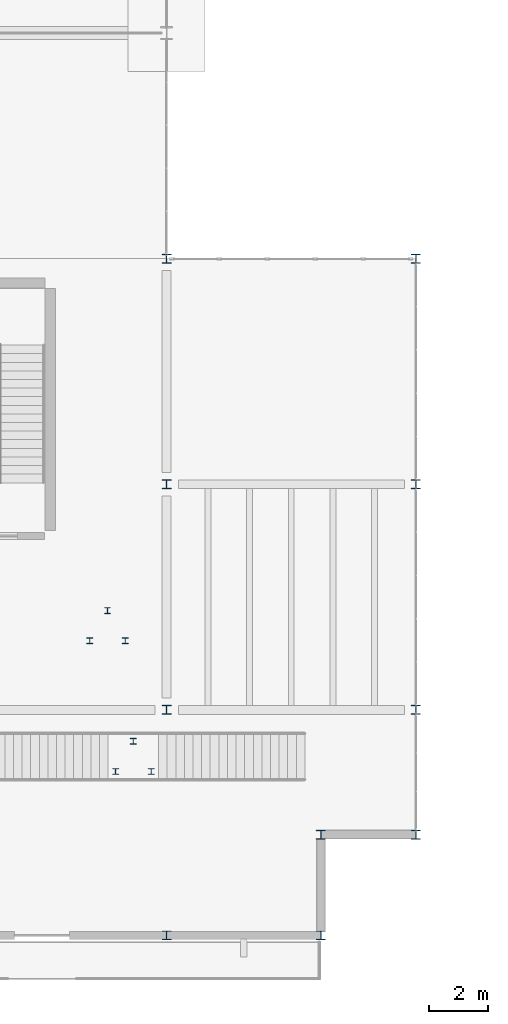
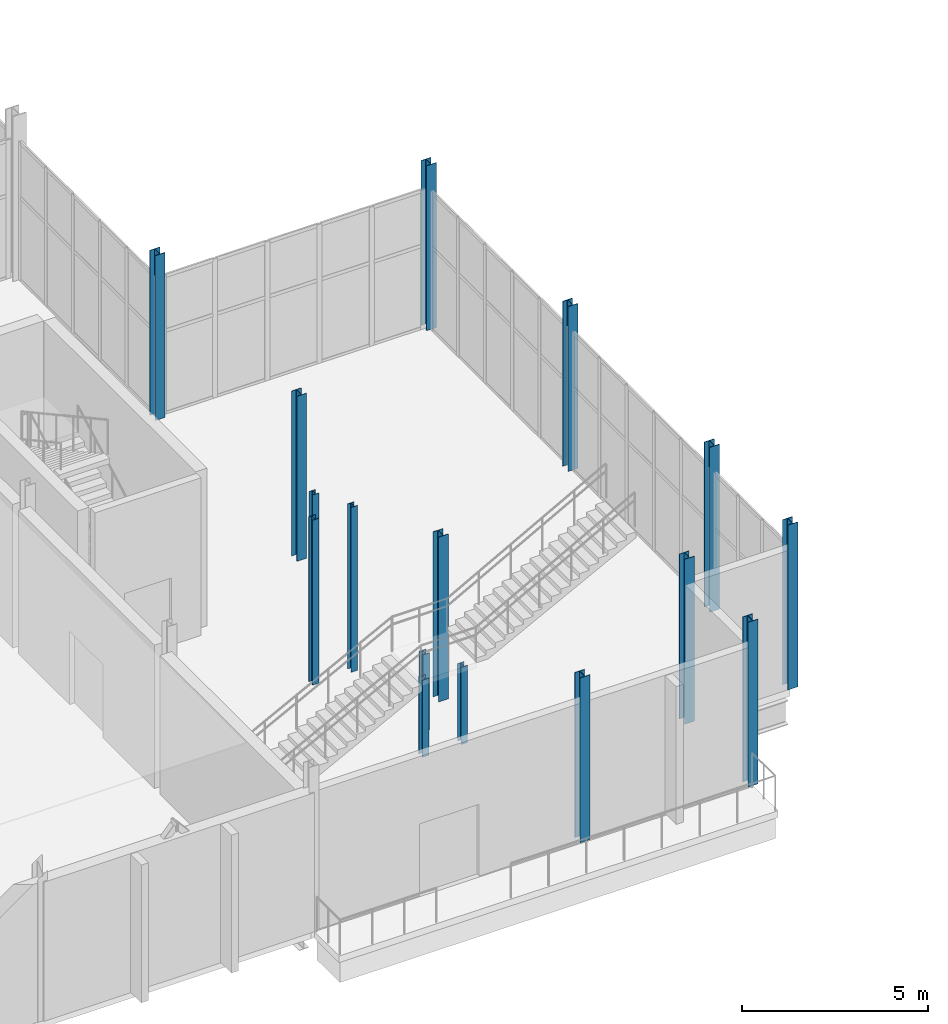
# One storey, part 6 of 95: 16 columns.
"""IFC4 building model written with IfcOpenShell, lengths in metres."""

import ifcopenshell
import ifcopenshell.guid

model = None  # the IFC model being written
_history = None  # IfcOwnerHistory: only IFC2X3 demands one
_inside = {}  # id of a spatial element -> (the spatial element, [elements in it])
_under = {}  # id of a project, library or spatial element -> (it, [spatial elements below it])
_declared = {}  # id of a project -> (the project, [libraries it declares])
_typed = {}  # id of a type object -> (the type object, [elements of that type])
_made_of = {}  # id of a material, layer set ... -> (it, [elements and type objects made of it])


def new_model(schema):
    """Start an empty IFC model of exactly this schema.

    Asked for "IFC4X3", IfcOpenShell would pick the latest addendum, in which some entities
    have other attributes; the version numbers below select the first issue.
    IFC2X3 requires an IfcOwnerHistory on every rooted entity: one is made here for all.
    """
    global model, _history
    if schema == "IFC4X3":
        model = ifcopenshell.file(schema_version=(4, 3, 0, 0))
    else:
        model = ifcopenshell.file(schema=schema)
    _inside.clear()
    _under.clear()
    _declared.clear()
    _typed.clear()
    _made_of.clear()
    _history = None
    if model.schema == "IFC2X3":
        org = make("IfcOrganization", Name="unknown")
        user = make(
            "IfcPersonAndOrganization",
            ThePerson=make("IfcPerson", FamilyName="unknown"),
            TheOrganization=org,
        )
        app = make(
            "IfcApplication",
            ApplicationDeveloper=org,
            Version="unknown",
            ApplicationFullName="unknown",
            ApplicationIdentifier="unknown",
        )
        _history = make(
            "IfcOwnerHistory",
            OwningUser=user,
            OwningApplication=app,
            ChangeAction="ADDED",
            CreationDate=0,
        )
    return model


def make(cls, **values):
    """One entity of the class cls with the attributes given. An attribute that is None is left unset."""
    return model.create_entity(
        cls, **{name: value for name, value in values.items() if value is not None}
    )


def rooted(cls, **values):
    """An entity with a GlobalId (a new one), such as an element, a storey or a relation."""
    return make(cls, GlobalId=ifcopenshell.guid.new(), OwnerHistory=_history, **values)


def si_unit(unit_type, name, prefix=None):
    """IfcSIUnit, for example si_unit("LENGTHUNIT", "METRE", prefix="MILLI")."""
    return make("IfcSIUnit", UnitType=unit_type, Prefix=prefix, Name=name)


def assignment(units):
    """IfcUnitAssignment: the units of a project."""
    return None if units is None else make("IfcUnitAssignment", Units=units)


def point(xyz):
    """IfcCartesianPoint."""
    return None if xyz is None else make("IfcCartesianPoint", Coordinates=xyz)


def direction(xyz):
    """IfcDirection."""
    return None if xyz is None else make("IfcDirection", DirectionRatios=xyz)


def frame(location, z_axis=None, x_axis=None):
    """IfcAxis2Placement3D, a coordinate frame: its origin and axes. An axis left out is left unset."""
    return make(
        "IfcAxis2Placement3D",
        Location=point(location),
        Axis=direction(z_axis),
        RefDirection=direction(x_axis),
    )


def frame_2d(location, x_axis=None):
    """IfcAxis2Placement2D, a coordinate frame in the plane: its origin and x axis."""
    return make(
        "IfcAxis2Placement2D", Location=point(location), RefDirection=direction(x_axis)
    )


def origin():
    """The frame at (0, 0, 0) with its axes left unset."""
    return frame((0.0, 0.0, 0.0))


def origin_2d():
    """The frame at (0, 0) in the plane with its x axis left unset."""
    return frame_2d((0.0, 0.0))


def place(relative_to, where):
    """IfcLocalPlacement: puts the frame where relative to a parent placement (None: the world)."""
    return make(
        "IfcLocalPlacement", PlacementRelTo=relative_to, RelativePlacement=where
    )


def context(
    kind, dimensions, precision=None, world=None, true_north=None, identifier=None
):
    """IfcGeometricRepresentationContext, for example the 3D "Model" context."""
    return make(
        "IfcGeometricRepresentationContext",
        ContextIdentifier=identifier,
        ContextType=kind,
        CoordinateSpaceDimension=dimensions,
        Precision=precision,
        WorldCoordinateSystem=world,
        TrueNorth=true_north,
    )


def subcontext(parent, identifier, kind, view, scale=None):
    """IfcGeometricRepresentationSubContext, for example "Body" below "Model"."""
    return make(
        "IfcGeometricRepresentationSubContext",
        ContextIdentifier=identifier,
        ContextType=kind,
        ParentContext=parent,
        TargetScale=scale,
        TargetView=view,
    )


def project(units=None, contexts=None):
    """IfcProject with its units and contexts."""
    return rooted(
        "IfcProject",
        Name="project",
        RepresentationContexts=contexts,
        UnitsInContext=assignment(units),
    )


def spatial(cls, under=None, at=None, **own):
    """A site, building, storey or space (cls), placed at a placement, below another one or the project."""
    s = rooted(cls, ObjectPlacement=at, **own)
    if under is not None:
        _under.setdefault(under.id(), (under, []))[1].append(s)
    return s


def profile(cls, at=None, kind="AREA", **sizes):
    """A parametric profile (cls). Its sizes go by their IFC names, for example OverallWidth=200.0."""
    return make(cls, ProfileType=kind, Position=at, **sizes)


def i_section(**sizes):
    """IfcIShapeProfileDef."""
    return profile("IfcIShapeProfileDef", **sizes)


def extrude(swept, where, along, depth):
    """IfcExtrudedAreaSolid: the profile swept, set in the frame where, extruded along a direction by depth."""
    return make(
        "IfcExtrudedAreaSolid",
        SweptArea=swept,
        Position=where,
        ExtrudedDirection=direction(along),
        Depth=depth,
    )


def shape(context_of_items, identifier, shape_type, items):
    """IfcShapeRepresentation: the items that make up one representation, for example the "Body"."""
    return make(
        "IfcShapeRepresentation",
        ContextOfItems=context_of_items,
        RepresentationIdentifier=identifier,
        RepresentationType=shape_type,
        Items=items,
    )


def material(Name=None, Category=None):
    """IfcMaterial."""
    return make("IfcMaterial", Name=Name, Category=Category)


def material_profile(
    of_material, cross_section, Name=None, Category=None, Priority=None
):
    """IfcMaterialProfile: a cross section and its material."""
    return make(
        "IfcMaterialProfile",
        Name=Name,
        Material=of_material,
        Profile=cross_section,
        Priority=Priority,
        Category=Category,
    )


def profile_set(profiles, Name=None, composite=None):
    """IfcMaterialProfileSet."""
    return make(
        "IfcMaterialProfileSet",
        Name=Name,
        MaterialProfiles=profiles,
        CompositeProfile=composite,
    )


def made_of(thing, what):
    """Note that an element or type object is made of a material, layer set ...; save() writes the relation."""
    if what is not None:
        _made_of.setdefault(what.id(), (what, []))[1].append(thing)
    return thing


def type_object(cls, material=None, **own):
    """A type object (cls), such as IfcWallType, which elements share."""
    return made_of(rooted(cls, **own), material)


def element(
    cls,
    number,
    at=None,
    inside=None,
    cuts=None,
    type_object=None,
    material=None,
    context=None,
    identifier="Body",
    shape_type=None,
    held_by="IfcProductDefinitionShape",
    body=None,
    shapes=None,
    **own,
):
    """One element of the class cls, such as IfcWall. Its Tag is "e" and its number.

    at: its placement. inside: the storey or other place that contains it. cuts: it is an
    opening in that element (IfcRelVoidsElement). A single representation is given by context,
    identifier, shape_type and body (its items); several are given by shapes. held_by: the class
    of the entity that holds the representations. save() writes the other relations.
    """
    e = rooted(cls, Tag="e%d" % number, ObjectPlacement=at, **own)
    if body is not None:
        shapes = [shape(context, identifier, shape_type, body)]
    if shapes is not None:
        e.Representation = make(held_by, Representations=shapes)
    if inside is not None:
        _inside.setdefault(inside.id(), (inside, []))[1].append(e)
    if cuts is not None:
        rooted(
            "IfcRelVoidsElement", RelatingBuildingElement=cuts, RelatedOpeningElement=e
        )
    if type_object is not None:
        _typed.setdefault(type_object.id(), (type_object, []))[1].append(e)
    return made_of(e, material)


def aggregate(whole, parts):
    """IfcRelAggregates: a whole, such as a stair, and the parts it consists of."""
    return rooted("IfcRelAggregates", RelatingObject=whole, RelatedObjects=parts)


def save(model, path):
    """Write the relations noted so far, then the file.

    IfcRelAggregates (storeys below a building ...), IfcRelContainedInSpatialStructure (elements
    in a storey), IfcRelDefinesByType, IfcRelAssociatesMaterial and IfcRelDeclares: one each for
    every whole, place, type object, material and project.
    """
    for whole, parts in _under.values():
        aggregate(whole, parts)
    for where, things in _inside.values():
        rooted(
            "IfcRelContainedInSpatialStructure",
            RelatedElements=things,
            RelatingStructure=where,
        )
    for kind, things in _typed.values():
        rooted("IfcRelDefinesByType", RelatedObjects=things, RelatingType=kind)
    for what, things in _made_of.values():
        rooted("IfcRelAssociatesMaterial", RelatedObjects=things, RelatingMaterial=what)
    for by, libraries in _declared.values():
        rooted("IfcRelDeclares", RelatingContext=by, RelatedDefinitions=libraries)
    model.write(path)


model = new_model("IFC4")

# Units and contexts
model_context = context("Model", 3, precision=1e-05, world=origin(), true_north=direction((0.0, 1.0)))
body_context = subcontext(model_context, "Body", "Model", "MODEL_VIEW")
ifc_project = project(units=[si_unit("LENGTHUNIT", "METRE"), si_unit("AREAUNIT", "SQUARE_METRE"), si_unit("VOLUMEUNIT", "CUBIC_METRE"), si_unit("PLANEANGLEUNIT", "RADIAN"), si_unit("MASSUNIT", "GRAM", prefix="KILO")], contexts=[model_context])

# Site, building, storey
site_placement = place(None, origin())
site = spatial("IfcSite", under=ifc_project, at=site_placement, CompositionType="ELEMENT")
building_placement = place(site_placement, origin())
building = spatial("IfcBuilding", under=site, at=building_placement, Name="Shengluoqiao Park Theatre", CompositionType="ELEMENT")
storey_placement = place(building_placement, origin())
storey = spatial("IfcBuildingStorey", under=building, at=storey_placement, Name="L00", CompositionType="ELEMENT", Elevation=0.0)

# Columns
ifc_material = material(Name="Steel Q355", Category="steel")
ifc_material_profile_1 = material_profile(ifc_material, i_section(OverallWidth=0.199951171875, OverallDepth=0.199951171875, WebThickness=0.008056640625, FlangeThickness=0.011962890625, FilletRadius=0.012939453125, at=origin_2d()), Name="HW 200x200x8x12")
ifc_profile_set_1 = profile_set([ifc_material_profile_1], Name="Steel Q355")
column_type_1 = type_object("IfcColumnType", Name="STR-COL-C-HW200", PredefinedType="COLUMN", material=ifc_profile_set_1)
for number, where, z_axis, x_axis, name in (
    (1, (34.280029296875, 5.52490234375, 0.0), (0.0, 0.0, 1.0), (1.0, 0.0, 0.0), "ST-08-L00 Landing Column W"),
    (2, (35.47998046875, 5.52490234375, 0.0), (0.0, 0.0, 1.0), (1.0, 0.0, 0.0), "ST-08-L00 Landing Column E"),
    (3, (34.8798828125, 6.544921875, 0.0), (0.0, 0.0, 1.0), (1.0, 0.0, 0.0), "ST-08-L00 Landing Column N"),
):
    element("IfcColumn", number, at=place(storey_placement, frame(where, z_axis=z_axis, x_axis=x_axis)), inside=storey, type_object=column_type_1, Name=name, PredefinedType="COLUMN", context=body_context, shape_type="SweptSolid", body=[
        extrude(i_section(OverallWidth=0.199951171875, OverallDepth=0.199951171875, WebThickness=0.008056640625, FlangeThickness=0.011962890625, FilletRadius=0.012939453125, at=origin_2d()), origin(), (0.0, 0.0, 1.0), 2.530029296875),
    ])
for number, where, z_axis, x_axis, name in (
    (4, (33.409912109375, 9.925048828125, 0.0), (0.0, 0.0, 1.0), (1.0, 0.0, 0.0), "ST-08-L01 L00 Stack Column W"),
    (5, (34.610107421875, 9.925048828125, 0.0), (0.0, 0.0, 1.0), (1.0, 0.0, 0.0), "ST-08-L01 L00 Stack Column E"),
    (6, (34.010009765625, 10.945068359375, 0.0), (0.0, 0.0, 1.0), (1.0, 0.0, 0.0), "ST-08-L01 L00 Stack Column N"),
):
    element("IfcColumn", number, at=place(storey_placement, frame(where, z_axis=z_axis, x_axis=x_axis)), inside=storey, type_object=column_type_1, Name=name, PredefinedType="COLUMN", context=body_context, shape_type="SweptSolid", body=[
        extrude(i_section(OverallWidth=0.199951171875, OverallDepth=0.199951171875, WebThickness=0.008056640625, FlangeThickness=0.011962890625, FilletRadius=0.012939453125, at=origin_2d()), origin(), (0.0, 0.0, 1.0), 5.39990234375),
    ])
ifc_material_profile_2 = material_profile(ifc_material, i_section(OverallWidth=0.304931640625, OverallDepth=0.300048828125, WebThickness=0.014892578125, FlangeThickness=0.014892578125, FilletRadius=0.01806640625, at=origin_2d()), Name="HW 300x305x15x15")
ifc_profile_set_2 = profile_set([ifc_material_profile_2], Name="Steel Q355")
column_type_2 = type_object("IfcColumnType", Name="STR-COL-C-HW305", PredefinedType="COLUMN", material=ifc_profile_set_2)
for number, where, z_axis, x_axis, name in (
    (7, (36.0, 0.0, 0.0), (0.0, 0.0, 1.0), (1.0, 0.0, 0.0), "L00 Column 0144"),
    (8, (36.0, 7.60009765625, 0.0), (0.0, 0.0, 1.0), (1.0, 0.0, 0.0), "L00 Column 0148"),
    (9, (36.0, 15.199951171875, 0.0), (0.0, 0.0, 1.0), (1.0, 0.0, 0.0), "L00 Column 0152"),
    (10, (36.0, 22.800048828125, 0.0), (0.0, 0.0, 1.0), (1.0, 0.0, 0.0), "L00 Column 0156"),
    (11, (44.39990234375, 7.60009765625, 0.0), (0.0, 0.0, 1.0), (1.0, 0.0, 0.0), "L00 Column 0192"),
    (12, (44.39990234375, 15.199951171875, 0.0), (0.0, 0.0, 1.0), (1.0, 0.0, 0.0), "L00 Column 0196"),
    (13, (44.39990234375, 22.800048828125, 0.0), (0.0, 0.0, 1.0), (1.0, 0.0, 0.0), "L00 Column 0200"),
    (14, (41.199951171875, 0.0, 0.0), (0.0, 0.0, 1.0), (1.0, 0.0, 0.0), "L00 Corner Step Column 01"),
    (15, (41.199951171875, 3.39990234375, 0.0), (0.0, 0.0, 1.0), (1.0, 0.0, 0.0), "L00 Corner Step Column 02"),
    (16, (44.39990234375, 3.39990234375, 0.0), (0.0, 0.0, 1.0), (1.0, 0.0, 0.0), "L00 Corner Step Column 03"),
):
    element("IfcColumn", number, at=place(storey_placement, frame(where, z_axis=z_axis, x_axis=x_axis)), inside=storey, type_object=column_type_2, Name=name, PredefinedType="COLUMN", context=body_context, shape_type="SweptSolid", body=[
        extrude(i_section(OverallWidth=0.304931640625, OverallDepth=0.300048828125, WebThickness=0.014892578125, FlangeThickness=0.014892578125, FilletRadius=0.01806640625, at=origin_2d()), origin(), (0.0, 0.0, 1.0), 5.39990234375),
    ])

save(model, "model.ifc")
